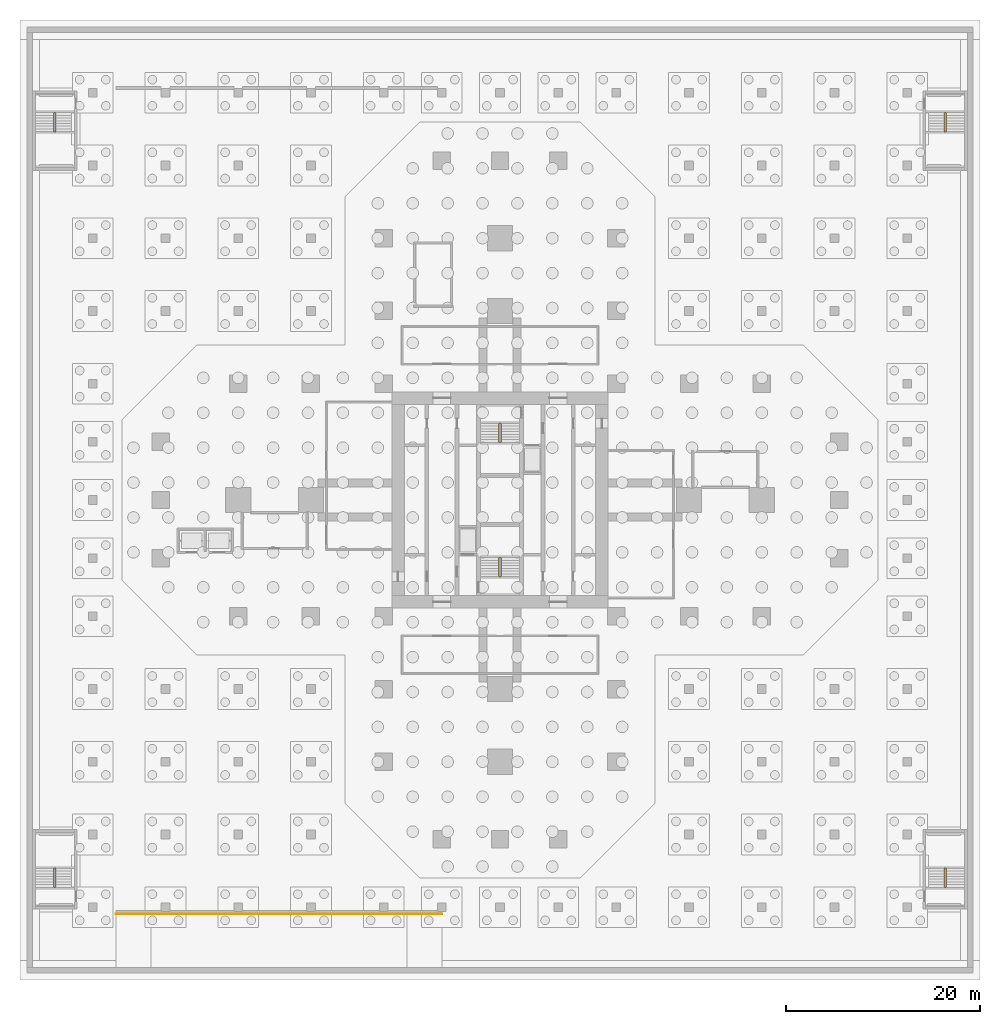
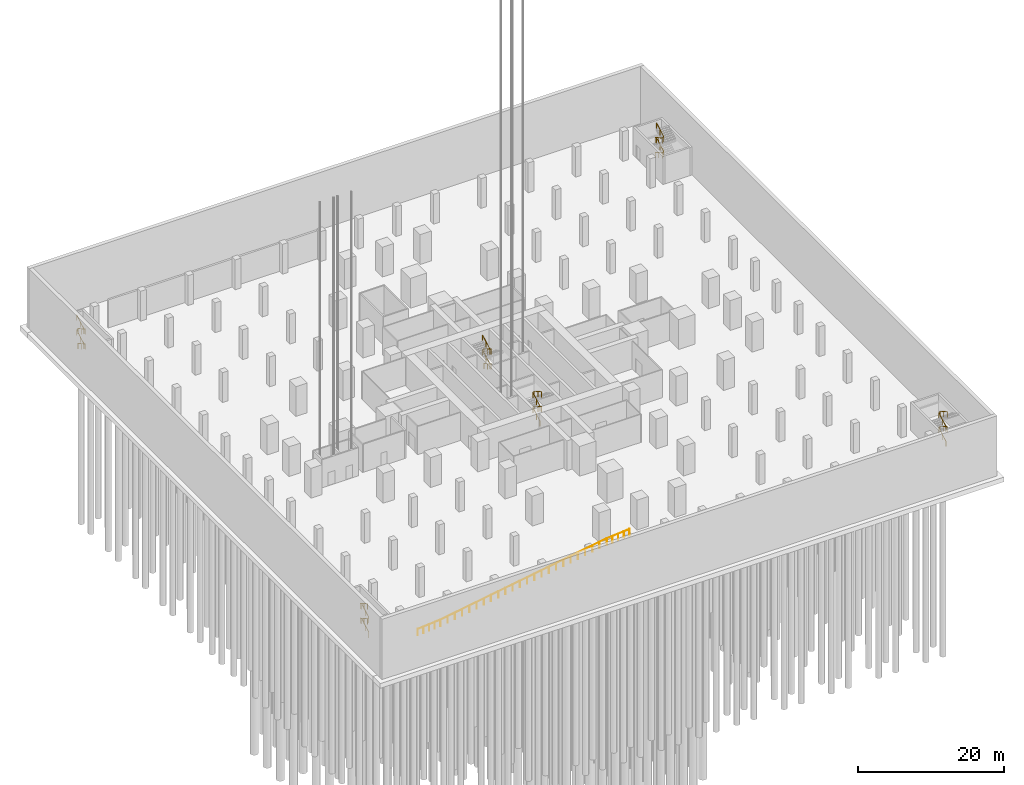
# One storey, part 22 of 31: 9 railings.
"""IFC4 building model written with IfcOpenShell, lengths in metres."""

from ifc_helpers import new_model, si_unit, direction, frame, origin, origin_2d, place, context, subcontext, project, spatial, circle, extrude, material, type_object, element, save


model = new_model("IFC4")

# Units and contexts
model_context = context("Model", 3, precision=1e-05, world=origin(), true_north=direction((0.0, 1.0)))
body_context = subcontext(model_context, "Body", "Model", "MODEL_VIEW")
ifc_project = project(units=[si_unit("LENGTHUNIT", "METRE"), si_unit("AREAUNIT", "SQUARE_METRE"), si_unit("VOLUMEUNIT", "CUBIC_METRE"), si_unit("PLANEANGLEUNIT", "RADIAN"), si_unit("MASSUNIT", "GRAM", prefix="KILO")], contexts=[model_context])

# Site, building, storey
site_placement = place(None, origin())
site = spatial("IfcSite", under=ifc_project, at=site_placement, CompositionType="ELEMENT")
building_placement = place(site_placement, origin())
building = spatial("IfcBuilding", under=site, at=building_placement, Name="Mizan Broadcast Tower", CompositionType="ELEMENT")
storey_placement = place(building_placement, frame((0.0, 0.0, -10.0)))
storey = spatial("IfcBuildingStorey", under=building, at=storey_placement, Name="B2", CompositionType="ELEMENT", Elevation=-10.0)

# Railings
ifc_material_1 = material(Name="Stainless steel and glass guard", Category="steel")
railing_type_1 = type_object("IfcRailingType", Name="GUARD 1100", PredefinedType="GUARDRAIL", material=ifc_material_1)
railing_1_placement = place(storey_placement, frame((-6.0, -42.699951171875, 5.0)))
element("IfcRailing", 1, at=railing_1_placement, inside=storey, type_object=railing_type_1, Name="Car ramp R2 guard 1", PredefinedType="GUARDRAIL", context=body_context, shape_type="SweptSolid", body=[
    extrude(circle(Radius=0.02392578125, at=origin_2d()), frame((0.0, 0.0, 1.076171875), z_axis=(-0.996544826035, 0.0, -0.083056665618), x_axis=(0.0, -1.0, 0.0)), (0.0, 0.0, 1.0), 3.612548828125),
    extrude(circle(Radius=0.02099609375, at=origin_2d()), origin(), (0.0, 0.0, 1.0), 1.052001953125),
    extrude(circle(Radius=0.02099609375, at=origin_2d()), frame((-0.89990234375, 0.0, -0.074951171875)), (0.0, 0.0, 1.0), 1.052001953125),
    extrude(circle(Radius=0.02099609375, at=origin_2d()), frame((-1.800048828125, 0.0, -0.14990234375)), (0.0, 0.0, 1.0), 1.052001953125),
    extrude(circle(Radius=0.02099609375, at=origin_2d()), frame((-2.7001953125, 0.0, -0.22509765625)), (0.0, 0.0, 1.0), 1.052001953125),
    extrude(circle(Radius=0.02099609375, at=origin_2d()), frame((-3.60009765625, 0.0, -0.300048828125)), (0.0, 0.0, 1.0), 1.052001953125),
])
railing_2_placement = place(storey_placement, frame((-9.60009765625, -42.699951171875, 4.699951171875)))
element("IfcRailing", 2, at=railing_2_placement, inside=storey, type_object=railing_type_1, Name="Car ramp R2 guard 2", PredefinedType="GUARDRAIL", context=body_context, shape_type="SweptSolid", body=[
    extrude(circle(Radius=0.02392578125, at=origin_2d()), frame((0.0, 0.0, 1.076171875), z_axis=(-0.986394416907, 0.0, -0.16439602883), x_axis=(0.0, -1.0, 0.0)), (0.0, 0.0, 1.0), 26.76416015625),
    extrude(circle(Radius=0.02099609375, at=origin_2d()), origin(), (0.0, 0.0, 1.0), 1.052001953125),
    extrude(circle(Radius=0.02099609375, at=origin_2d()), frame((-1.147705078125, 0.0, -0.19140625)), (0.0, 0.0, 1.0), 1.052001953125),
    extrude(circle(Radius=0.02099609375, at=origin_2d()), frame((-2.295654296875, 0.0, -0.382568359375)), (0.0, 0.0, 1.0), 1.052001953125),
    extrude(circle(Radius=0.02099609375, at=origin_2d()), frame((-3.443359375, 0.0, -0.573974609375)), (0.0, 0.0, 1.0), 1.052001953125),
    extrude(circle(Radius=0.02099609375, at=origin_2d()), frame((-4.59130859375, 0.0, -0.76513671875)), (0.0, 0.0, 1.0), 1.052001953125),
    extrude(circle(Radius=0.02099609375, at=origin_2d()), frame((-5.739013671875, 0.0, -0.95654296875)), (0.0, 0.0, 1.0), 1.052001953125),
    extrude(circle(Radius=0.02099609375, at=origin_2d()), frame((-6.886962890625, 0.0, -1.147705078125)), (0.0, 0.0, 1.0), 1.052001953125),
    extrude(circle(Radius=0.02099609375, at=origin_2d()), frame((-8.03466796875, 0.0, -1.339111328125)), (0.0, 0.0, 1.0), 1.052001953125),
    extrude(circle(Radius=0.02099609375, at=origin_2d()), frame((-9.1826171875, 0.0, -1.530517578125)), (0.0, 0.0, 1.0), 1.052001953125),
    extrude(circle(Radius=0.02099609375, at=origin_2d()), frame((-10.330322265625, 0.0, -1.7216796875)), (0.0, 0.0, 1.0), 1.052001953125),
    extrude(circle(Radius=0.02099609375, at=origin_2d()), frame((-11.478271484375, 0.0, -1.9130859375)), (0.0, 0.0, 1.0), 1.052001953125),
    extrude(circle(Radius=0.02099609375, at=origin_2d()), frame((-12.6259765625, 0.0, -2.104248046875)), (0.0, 0.0, 1.0), 1.052001953125),
    extrude(circle(Radius=0.02099609375, at=origin_2d()), frame((-13.77392578125, 0.0, -2.295654296875)), (0.0, 0.0, 1.0), 1.052001953125),
    extrude(circle(Radius=0.02099609375, at=origin_2d()), frame((-14.921630859375, 0.0, -2.48681640625)), (0.0, 0.0, 1.0), 1.052001953125),
    extrude(circle(Radius=0.02099609375, at=origin_2d()), frame((-16.069580078125, 0.0, -2.67822265625)), (0.0, 0.0, 1.0), 1.052001953125),
    extrude(circle(Radius=0.02099609375, at=origin_2d()), frame((-17.21728515625, 0.0, -2.869384765625)), (0.0, 0.0, 1.0), 1.052001953125),
    extrude(circle(Radius=0.02099609375, at=origin_2d()), frame((-18.365234375, 0.0, -3.060791015625)), (0.0, 0.0, 1.0), 1.052001953125),
    extrude(circle(Radius=0.02099609375, at=origin_2d()), frame((-19.512939453125, 0.0, -3.252197265625)), (0.0, 0.0, 1.0), 1.052001953125),
    extrude(circle(Radius=0.02099609375, at=origin_2d()), frame((-20.660888671875, 0.0, -3.443359375)), (0.0, 0.0, 1.0), 1.052001953125),
    extrude(circle(Radius=0.02099609375, at=origin_2d()), frame((-21.80859375, 0.0, -3.634765625)), (0.0, 0.0, 1.0), 1.052001953125),
    extrude(circle(Radius=0.02099609375, at=origin_2d()), frame((-22.95654296875, 0.0, -3.825927734375)), (0.0, 0.0, 1.0), 1.052001953125),
    extrude(circle(Radius=0.02099609375, at=origin_2d()), frame((-24.104248046875, 0.0, -4.017333984375)), (0.0, 0.0, 1.0), 1.052001953125),
    extrude(circle(Radius=0.02099609375, at=origin_2d()), frame((-25.252197265625, 0.0, -4.20849609375)), (0.0, 0.0, 1.0), 1.052001953125),
    extrude(circle(Radius=0.02099609375, at=origin_2d()), frame((-26.39990234375, 0.0, -4.39990234375)), (0.0, 0.0, 1.0), 1.052001953125),
])
railing_3_placement = place(storey_placement, frame((-36.0, -42.699951171875, 0.300048828125)))
element("IfcRailing", 3, at=railing_3_placement, inside=storey, type_object=railing_type_1, Name="Car ramp R2 guard 3", PredefinedType="GUARDRAIL", context=body_context, shape_type="SweptSolid", body=[
    extrude(circle(Radius=0.02392578125, at=origin_2d()), frame((0.0, 0.0, 1.076171875), z_axis=(-0.996544826035, 0.0, -0.083056665618), x_axis=(0.0, -1.0, 0.0)), (0.0, 0.0, 1.0), 3.612548828125),
    extrude(circle(Radius=0.02099609375, at=origin_2d()), origin(), (0.0, 0.0, 1.0), 1.052001953125),
    extrude(circle(Radius=0.02099609375, at=origin_2d()), frame((-0.89990234375, 0.0, -0.074951171875)), (0.0, 0.0, 1.0), 1.052001953125),
    extrude(circle(Radius=0.02099609375, at=origin_2d()), frame((-1.800048828125, 0.0, -0.14990234375)), (0.0, 0.0, 1.0), 1.052001953125),
    extrude(circle(Radius=0.02099609375, at=origin_2d()), frame((-2.7001953125, 0.0, -0.22509765625)), (0.0, 0.0, 1.0), 1.052001953125),
    extrude(circle(Radius=0.02099609375, at=origin_2d()), frame((-3.60009765625, 0.0, -0.300048828125)), (0.0, 0.0, 1.0), 1.052001953125),
])
ifc_material_2 = material(Name="Stainless steel", Category="steel")
railing_type_2 = type_object("IfcRailingType", Name="HANDRAIL 50", PredefinedType="HANDRAIL", material=ifc_material_2)
railing_4_placement = place(storey_placement, frame((-0.110107421875, -7.89990234375, 0.15625)))
element("IfcRailing", 4, at=railing_4_placement, inside=storey, type_object=railing_type_2, Name="Stair A handrail", PredefinedType="HANDRAIL", context=body_context, shape_type="SweptSolid", body=[
    extrude(circle(Radius=0.02392578125, at=origin_2d()), frame((0.0, 0.0, 0.8759765625), z_axis=(0.0, 0.873232148454, 0.487304437602), x_axis=(-1.0, 0.0, 0.0)), (0.0, 0.0, 1.0), 2.244384765625),
    extrude(circle(Radius=0.02392578125, at=origin_2d()), frame((0.0, 1.9599609375, 1.9697265625), z_axis=(0.815562204743, 0.0, 0.578669413565), x_axis=(0.0, 1.0, 0.0)), (0.0, 0.0, 1.0), 0.27001953125),
    extrude(circle(Radius=0.02392578125, at=origin_2d()), frame((0.22021484375, 1.9599609375, 2.1259765625), z_axis=(0.0, -0.873232148454, 0.487304437602), x_axis=(1.0, 0.0, 0.0)), (0.0, 0.0, 1.0), 2.244384765625),
    extrude(circle(Radius=0.02392578125, at=origin_2d()), frame((0.22021484375, 0.0, 3.2197265625), z_axis=(-0.815562204743, 0.0, 0.578669413565), x_axis=(0.0, -1.0, 0.0)), (0.0, 0.0, 1.0), 0.27001953125),
    extrude(circle(Radius=0.02392578125, at=origin_2d()), frame((0.0, 0.0, 3.3759765625), z_axis=(0.0, 0.873232148454, 0.487304437602), x_axis=(-1.0, 0.0, 0.0)), (0.0, 0.0, 1.0), 2.244384765625),
    extrude(circle(Radius=0.02392578125, at=origin_2d()), frame((0.0, 1.9599609375, 4.4697265625), z_axis=(0.815562204743, 0.0, 0.578669413565), x_axis=(0.0, 1.0, 0.0)), (0.0, 0.0, 1.0), 0.27001953125),
    extrude(circle(Radius=0.02392578125, at=origin_2d()), frame((0.22021484375, 1.9599609375, 4.6259765625), z_axis=(0.0, -0.873232148454, 0.487304437602), x_axis=(1.0, 0.0, 0.0)), (0.0, 0.0, 1.0), 2.244384765625),
    extrude(circle(Radius=0.02099609375, at=origin_2d()), origin(), (0.0, 0.0, 1.0), 0.851806640625),
    extrude(circle(Radius=0.02099609375, at=origin_2d()), frame((0.0, 0.97998046875, 0.546875)), (0.0, 0.0, 1.0), 0.851806640625),
    extrude(circle(Radius=0.02099609375, at=origin_2d()), frame((0.0, 1.9599609375, 1.09375)), (0.0, 0.0, 1.0), 0.851806640625),
    extrude(circle(Radius=0.02099609375, at=origin_2d()), frame((0.22021484375, 1.9599609375, 1.25)), (0.0, 0.0, 1.0), 0.851806640625),
    extrude(circle(Radius=0.02099609375, at=origin_2d()), frame((0.22021484375, 0.97998046875, 1.796875)), (0.0, 0.0, 1.0), 0.851806640625),
    extrude(circle(Radius=0.02099609375, at=origin_2d()), frame((0.22021484375, 0.0, 2.34375)), (0.0, 0.0, 1.0), 0.851806640625),
    extrude(circle(Radius=0.02099609375, at=origin_2d()), frame((0.0, 0.0, 2.5)), (0.0, 0.0, 1.0), 0.851806640625),
    extrude(circle(Radius=0.02099609375, at=origin_2d()), frame((0.0, 0.97998046875, 3.046875)), (0.0, 0.0, 1.0), 0.851806640625),
    extrude(circle(Radius=0.02099609375, at=origin_2d()), frame((0.0, 1.9599609375, 3.59375)), (0.0, 0.0, 1.0), 0.851806640625),
    extrude(circle(Radius=0.02099609375, at=origin_2d()), frame((0.22021484375, 1.9599609375, 3.75)), (0.0, 0.0, 1.0), 0.851806640625),
    extrude(circle(Radius=0.02099609375, at=origin_2d()), frame((0.22021484375, 0.97998046875, 4.296875)), (0.0, 0.0, 1.0), 0.851806640625),
    extrude(circle(Radius=0.02099609375, at=origin_2d()), frame((0.22021484375, 0.0, 4.84375)), (0.0, 0.0, 1.0), 0.851806640625),
])
railing_5_placement = place(storey_placement, frame((0.110107421875, 7.89990234375, 0.15625)))
element("IfcRailing", 5, at=railing_5_placement, inside=storey, type_object=railing_type_2, Name="Stair B handrail", PredefinedType="HANDRAIL", context=body_context, shape_type="SweptSolid", body=[
    extrude(circle(Radius=0.02392578125, at=origin_2d()), frame((0.0, 0.0, 0.8759765625), z_axis=(0.0, -0.873232148454, 0.487304437602), x_axis=(1.0, 0.0, 0.0)), (0.0, 0.0, 1.0), 2.244384765625),
    extrude(circle(Radius=0.02392578125, at=origin_2d()), frame((0.0, -1.9599609375, 1.9697265625), z_axis=(-0.815562204743, 0.0, 0.578669413565), x_axis=(0.0, -1.0, 0.0)), (0.0, 0.0, 1.0), 0.27001953125),
    extrude(circle(Radius=0.02392578125, at=origin_2d()), frame((-0.22021484375, -1.9599609375, 2.1259765625), z_axis=(0.0, 0.873232148454, 0.487304437602), x_axis=(-1.0, 0.0, 0.0)), (0.0, 0.0, 1.0), 2.244384765625),
    extrude(circle(Radius=0.02392578125, at=origin_2d()), frame((-0.22021484375, 0.0, 3.2197265625), z_axis=(0.815562204743, 0.0, 0.578669413565), x_axis=(0.0, 1.0, 0.0)), (0.0, 0.0, 1.0), 0.27001953125),
    extrude(circle(Radius=0.02392578125, at=origin_2d()), frame((0.0, 0.0, 3.3759765625), z_axis=(0.0, -0.873232148454, 0.487304437602), x_axis=(1.0, 0.0, 0.0)), (0.0, 0.0, 1.0), 2.244384765625),
    extrude(circle(Radius=0.02392578125, at=origin_2d()), frame((0.0, -1.9599609375, 4.4697265625), z_axis=(-0.815562204743, 0.0, 0.578669413565), x_axis=(0.0, -1.0, 0.0)), (0.0, 0.0, 1.0), 0.27001953125),
    extrude(circle(Radius=0.02392578125, at=origin_2d()), frame((-0.22021484375, -1.9599609375, 4.6259765625), z_axis=(0.0, 0.873232148454, 0.487304437602), x_axis=(-1.0, 0.0, 0.0)), (0.0, 0.0, 1.0), 2.244384765625),
    extrude(circle(Radius=0.02099609375, at=origin_2d()), origin(), (0.0, 0.0, 1.0), 0.851806640625),
    extrude(circle(Radius=0.02099609375, at=origin_2d()), frame((0.0, -0.97998046875, 0.546875)), (0.0, 0.0, 1.0), 0.851806640625),
    extrude(circle(Radius=0.02099609375, at=origin_2d()), frame((0.0, -1.9599609375, 1.09375)), (0.0, 0.0, 1.0), 0.851806640625),
    extrude(circle(Radius=0.02099609375, at=origin_2d()), frame((-0.22021484375, -1.9599609375, 1.25)), (0.0, 0.0, 1.0), 0.851806640625),
    extrude(circle(Radius=0.02099609375, at=origin_2d()), frame((-0.22021484375, -0.97998046875, 1.796875)), (0.0, 0.0, 1.0), 0.851806640625),
    extrude(circle(Radius=0.02099609375, at=origin_2d()), frame((-0.22021484375, 0.0, 2.34375)), (0.0, 0.0, 1.0), 0.851806640625),
    extrude(circle(Radius=0.02099609375, at=origin_2d()), frame((0.0, 0.0, 2.5)), (0.0, 0.0, 1.0), 0.851806640625),
    extrude(circle(Radius=0.02099609375, at=origin_2d()), frame((0.0, -0.97998046875, 3.046875)), (0.0, 0.0, 1.0), 0.851806640625),
    extrude(circle(Radius=0.02099609375, at=origin_2d()), frame((0.0, -1.9599609375, 3.59375)), (0.0, 0.0, 1.0), 0.851806640625),
    extrude(circle(Radius=0.02099609375, at=origin_2d()), frame((-0.22021484375, -1.9599609375, 3.75)), (0.0, 0.0, 1.0), 0.851806640625),
    extrude(circle(Radius=0.02099609375, at=origin_2d()), frame((-0.22021484375, -0.97998046875, 4.296875)), (0.0, 0.0, 1.0), 0.851806640625),
    extrude(circle(Radius=0.02099609375, at=origin_2d()), frame((-0.22021484375, 0.0, 4.84375)), (0.0, 0.0, 1.0), 0.851806640625),
])
railing_6_placement = place(storey_placement, frame((45.7900390625, 39.949951171875, 0.15625)))
element("IfcRailing", 6, at=railing_6_placement, inside=storey, type_object=railing_type_2, Name="Stair E handrail", PredefinedType="HANDRAIL", context=body_context, shape_type="SweptSolid", body=[
    extrude(circle(Radius=0.02392578125, at=origin_2d()), frame((0.0, 0.0, 0.8759765625), z_axis=(0.0, -0.873232148454, 0.487304437602), x_axis=(1.0, 0.0, 0.0)), (0.0, 0.0, 1.0), 2.244384765625),
    extrude(circle(Radius=0.02392578125, at=origin_2d()), frame((0.0, -1.9599609375, 1.9697265625), z_axis=(0.815259100417, 0.0, 0.579096364336), x_axis=(0.0, 1.0, 0.0)), (0.0, 0.0, 1.0), 0.269775390625),
    extrude(circle(Radius=0.02392578125, at=origin_2d()), frame((0.219970703125, -1.9599609375, 2.1259765625), z_axis=(0.0, 0.873232148454, 0.487304437602), x_axis=(-1.0, 0.0, 0.0)), (0.0, 0.0, 1.0), 2.244384765625),
    extrude(circle(Radius=0.02392578125, at=origin_2d()), frame((0.219970703125, 0.0, 3.2197265625), z_axis=(-0.815259100417, 0.0, 0.579096364336), x_axis=(0.0, -1.0, 0.0)), (0.0, 0.0, 1.0), 0.269775390625),
    extrude(circle(Radius=0.02392578125, at=origin_2d()), frame((0.0, 0.0, 3.3759765625), z_axis=(0.0, -0.873232148454, 0.487304437602), x_axis=(1.0, 0.0, 0.0)), (0.0, 0.0, 1.0), 2.244384765625),
    extrude(circle(Radius=0.02392578125, at=origin_2d()), frame((0.0, -1.9599609375, 4.4697265625), z_axis=(0.815259100417, 0.0, 0.579096364336), x_axis=(0.0, 1.0, 0.0)), (0.0, 0.0, 1.0), 0.269775390625),
    extrude(circle(Radius=0.02392578125, at=origin_2d()), frame((0.219970703125, -1.9599609375, 4.6259765625), z_axis=(0.0, 0.873232148454, 0.487304437602), x_axis=(-1.0, 0.0, 0.0)), (0.0, 0.0, 1.0), 2.244384765625),
    extrude(circle(Radius=0.02099609375, at=origin_2d()), origin(), (0.0, 0.0, 1.0), 0.851806640625),
    extrude(circle(Radius=0.02099609375, at=origin_2d()), frame((0.0, -0.97998046875, 0.546875)), (0.0, 0.0, 1.0), 0.851806640625),
    extrude(circle(Radius=0.02099609375, at=origin_2d()), frame((0.0, -1.9599609375, 1.09375)), (0.0, 0.0, 1.0), 0.851806640625),
    extrude(circle(Radius=0.02099609375, at=origin_2d()), frame((0.219970703125, -1.9599609375, 1.25)), (0.0, 0.0, 1.0), 0.851806640625),
    extrude(circle(Radius=0.02099609375, at=origin_2d()), frame((0.219970703125, -0.97998046875, 1.796875)), (0.0, 0.0, 1.0), 0.851806640625),
    extrude(circle(Radius=0.02099609375, at=origin_2d()), frame((0.219970703125, 0.0, 2.34375)), (0.0, 0.0, 1.0), 0.851806640625),
    extrude(circle(Radius=0.02099609375, at=origin_2d()), frame((0.0, 0.0, 2.5)), (0.0, 0.0, 1.0), 0.851806640625),
    extrude(circle(Radius=0.02099609375, at=origin_2d()), frame((0.0, -0.97998046875, 3.046875)), (0.0, 0.0, 1.0), 0.851806640625),
    extrude(circle(Radius=0.02099609375, at=origin_2d()), frame((0.0, -1.9599609375, 3.59375)), (0.0, 0.0, 1.0), 0.851806640625),
    extrude(circle(Radius=0.02099609375, at=origin_2d()), frame((0.219970703125, -1.9599609375, 3.75)), (0.0, 0.0, 1.0), 0.851806640625),
    extrude(circle(Radius=0.02099609375, at=origin_2d()), frame((0.219970703125, -0.97998046875, 4.296875)), (0.0, 0.0, 1.0), 0.851806640625),
    extrude(circle(Radius=0.02099609375, at=origin_2d()), frame((0.219970703125, 0.0, 4.84375)), (0.0, 0.0, 1.0), 0.851806640625),
])
railing_7_placement = place(storey_placement, frame((-45.7900390625, 39.949951171875, 0.15625)))
element("IfcRailing", 7, at=railing_7_placement, inside=storey, type_object=railing_type_2, Name="Stair F handrail", PredefinedType="HANDRAIL", context=body_context, shape_type="SweptSolid", body=[
    extrude(circle(Radius=0.02392578125, at=origin_2d()), frame((0.0, 0.0, 0.8759765625), z_axis=(0.0, -0.873232148454, 0.487304437602), x_axis=(1.0, 0.0, 0.0)), (0.0, 0.0, 1.0), 2.244384765625),
    extrude(circle(Radius=0.02392578125, at=origin_2d()), frame((0.0, -1.9599609375, 1.9697265625), z_axis=(-0.815259100417, 0.0, 0.579096364336), x_axis=(0.0, -1.0, 0.0)), (0.0, 0.0, 1.0), 0.269775390625),
    extrude(circle(Radius=0.02392578125, at=origin_2d()), frame((-0.219970703125, -1.9599609375, 2.1259765625), z_axis=(0.0, 0.873232148454, 0.487304437602), x_axis=(-1.0, 0.0, 0.0)), (0.0, 0.0, 1.0), 2.244384765625),
    extrude(circle(Radius=0.02392578125, at=origin_2d()), frame((-0.219970703125, 0.0, 3.2197265625), z_axis=(0.815259100417, 0.0, 0.579096364336), x_axis=(0.0, 1.0, 0.0)), (0.0, 0.0, 1.0), 0.269775390625),
    extrude(circle(Radius=0.02392578125, at=origin_2d()), frame((0.0, 0.0, 3.3759765625), z_axis=(0.0, -0.873232148454, 0.487304437602), x_axis=(1.0, 0.0, 0.0)), (0.0, 0.0, 1.0), 2.244384765625),
    extrude(circle(Radius=0.02392578125, at=origin_2d()), frame((0.0, -1.9599609375, 4.4697265625), z_axis=(-0.815259100417, 0.0, 0.579096364336), x_axis=(0.0, -1.0, 0.0)), (0.0, 0.0, 1.0), 0.269775390625),
    extrude(circle(Radius=0.02392578125, at=origin_2d()), frame((-0.219970703125, -1.9599609375, 4.6259765625), z_axis=(0.0, 0.873232148454, 0.487304437602), x_axis=(-1.0, 0.0, 0.0)), (0.0, 0.0, 1.0), 2.244384765625),
    extrude(circle(Radius=0.02099609375, at=origin_2d()), origin(), (0.0, 0.0, 1.0), 0.851806640625),
    extrude(circle(Radius=0.02099609375, at=origin_2d()), frame((0.0, -0.97998046875, 0.546875)), (0.0, 0.0, 1.0), 0.851806640625),
    extrude(circle(Radius=0.02099609375, at=origin_2d()), frame((0.0, -1.9599609375, 1.09375)), (0.0, 0.0, 1.0), 0.851806640625),
    extrude(circle(Radius=0.02099609375, at=origin_2d()), frame((-0.219970703125, -1.9599609375, 1.25)), (0.0, 0.0, 1.0), 0.851806640625),
    extrude(circle(Radius=0.02099609375, at=origin_2d()), frame((-0.219970703125, -0.97998046875, 1.796875)), (0.0, 0.0, 1.0), 0.851806640625),
    extrude(circle(Radius=0.02099609375, at=origin_2d()), frame((-0.219970703125, 0.0, 2.34375)), (0.0, 0.0, 1.0), 0.851806640625),
    extrude(circle(Radius=0.02099609375, at=origin_2d()), frame((0.0, 0.0, 2.5)), (0.0, 0.0, 1.0), 0.851806640625),
    extrude(circle(Radius=0.02099609375, at=origin_2d()), frame((0.0, -0.97998046875, 3.046875)), (0.0, 0.0, 1.0), 0.851806640625),
    extrude(circle(Radius=0.02099609375, at=origin_2d()), frame((0.0, -1.9599609375, 3.59375)), (0.0, 0.0, 1.0), 0.851806640625),
    extrude(circle(Radius=0.02099609375, at=origin_2d()), frame((-0.219970703125, -1.9599609375, 3.75)), (0.0, 0.0, 1.0), 0.851806640625),
    extrude(circle(Radius=0.02099609375, at=origin_2d()), frame((-0.219970703125, -0.97998046875, 4.296875)), (0.0, 0.0, 1.0), 0.851806640625),
    extrude(circle(Radius=0.02099609375, at=origin_2d()), frame((-0.219970703125, 0.0, 4.84375)), (0.0, 0.0, 1.0), 0.851806640625),
])
railing_8_placement = place(storey_placement, frame((-45.7900390625, -39.949951171875, 0.15625)))
element("IfcRailing", 8, at=railing_8_placement, inside=storey, type_object=railing_type_2, Name="Stair G handrail", PredefinedType="HANDRAIL", context=body_context, shape_type="SweptSolid", body=[
    extrude(circle(Radius=0.02392578125, at=origin_2d()), frame((0.0, 0.0, 0.8759765625), z_axis=(0.0, 0.873232148454, 0.487304437602), x_axis=(-1.0, 0.0, 0.0)), (0.0, 0.0, 1.0), 2.244384765625),
    extrude(circle(Radius=0.02392578125, at=origin_2d()), frame((0.0, 1.9599609375, 1.9697265625), z_axis=(-0.815259100417, 0.0, 0.579096364336), x_axis=(0.0, -1.0, 0.0)), (0.0, 0.0, 1.0), 0.269775390625),
    extrude(circle(Radius=0.02392578125, at=origin_2d()), frame((-0.219970703125, 1.9599609375, 2.1259765625), z_axis=(0.0, -0.873232148454, 0.487304437602), x_axis=(1.0, 0.0, 0.0)), (0.0, 0.0, 1.0), 2.244384765625),
    extrude(circle(Radius=0.02392578125, at=origin_2d()), frame((-0.219970703125, 0.0, 3.2197265625), z_axis=(0.815259100417, 0.0, 0.579096364336), x_axis=(0.0, 1.0, 0.0)), (0.0, 0.0, 1.0), 0.269775390625),
    extrude(circle(Radius=0.02392578125, at=origin_2d()), frame((0.0, 0.0, 3.3759765625), z_axis=(0.0, 0.873232148454, 0.487304437602), x_axis=(-1.0, 0.0, 0.0)), (0.0, 0.0, 1.0), 2.244384765625),
    extrude(circle(Radius=0.02392578125, at=origin_2d()), frame((0.0, 1.9599609375, 4.4697265625), z_axis=(-0.815259100417, 0.0, 0.579096364336), x_axis=(0.0, -1.0, 0.0)), (0.0, 0.0, 1.0), 0.269775390625),
    extrude(circle(Radius=0.02392578125, at=origin_2d()), frame((-0.219970703125, 1.9599609375, 4.6259765625), z_axis=(0.0, -0.873232148454, 0.487304437602), x_axis=(1.0, 0.0, 0.0)), (0.0, 0.0, 1.0), 2.244384765625),
    extrude(circle(Radius=0.02099609375, at=origin_2d()), origin(), (0.0, 0.0, 1.0), 0.851806640625),
    extrude(circle(Radius=0.02099609375, at=origin_2d()), frame((0.0, 0.97998046875, 0.546875)), (0.0, 0.0, 1.0), 0.851806640625),
    extrude(circle(Radius=0.02099609375, at=origin_2d()), frame((0.0, 1.9599609375, 1.09375)), (0.0, 0.0, 1.0), 0.851806640625),
    extrude(circle(Radius=0.02099609375, at=origin_2d()), frame((-0.219970703125, 1.9599609375, 1.25)), (0.0, 0.0, 1.0), 0.851806640625),
    extrude(circle(Radius=0.02099609375, at=origin_2d()), frame((-0.219970703125, 0.97998046875, 1.796875)), (0.0, 0.0, 1.0), 0.851806640625),
    extrude(circle(Radius=0.02099609375, at=origin_2d()), frame((-0.219970703125, 0.0, 2.34375)), (0.0, 0.0, 1.0), 0.851806640625),
    extrude(circle(Radius=0.02099609375, at=origin_2d()), frame((0.0, 0.0, 2.5)), (0.0, 0.0, 1.0), 0.851806640625),
    extrude(circle(Radius=0.02099609375, at=origin_2d()), frame((0.0, 0.97998046875, 3.046875)), (0.0, 0.0, 1.0), 0.851806640625),
    extrude(circle(Radius=0.02099609375, at=origin_2d()), frame((0.0, 1.9599609375, 3.59375)), (0.0, 0.0, 1.0), 0.851806640625),
    extrude(circle(Radius=0.02099609375, at=origin_2d()), frame((-0.219970703125, 1.9599609375, 3.75)), (0.0, 0.0, 1.0), 0.851806640625),
    extrude(circle(Radius=0.02099609375, at=origin_2d()), frame((-0.219970703125, 0.97998046875, 4.296875)), (0.0, 0.0, 1.0), 0.851806640625),
    extrude(circle(Radius=0.02099609375, at=origin_2d()), frame((-0.219970703125, 0.0, 4.84375)), (0.0, 0.0, 1.0), 0.851806640625),
])
railing_9_placement = place(storey_placement, frame((45.7900390625, -39.949951171875, 0.15625)))
element("IfcRailing", 9, at=railing_9_placement, inside=storey, type_object=railing_type_2, Name="Stair H handrail", PredefinedType="HANDRAIL", context=body_context, shape_type="SweptSolid", body=[
    extrude(circle(Radius=0.02392578125, at=origin_2d()), frame((0.0, 0.0, 0.8759765625), z_axis=(0.0, 0.873232148454, 0.487304437602), x_axis=(-1.0, 0.0, 0.0)), (0.0, 0.0, 1.0), 2.244384765625),
    extrude(circle(Radius=0.02392578125, at=origin_2d()), frame((0.0, 1.9599609375, 1.9697265625), z_axis=(0.815259100417, 0.0, 0.579096364336), x_axis=(0.0, 1.0, 0.0)), (0.0, 0.0, 1.0), 0.269775390625),
    extrude(circle(Radius=0.02392578125, at=origin_2d()), frame((0.219970703125, 1.9599609375, 2.1259765625), z_axis=(0.0, -0.873232148454, 0.487304437602), x_axis=(1.0, 0.0, 0.0)), (0.0, 0.0, 1.0), 2.244384765625),
    extrude(circle(Radius=0.02392578125, at=origin_2d()), frame((0.219970703125, 0.0, 3.2197265625), z_axis=(-0.815259100417, 0.0, 0.579096364336), x_axis=(0.0, -1.0, 0.0)), (0.0, 0.0, 1.0), 0.269775390625),
    extrude(circle(Radius=0.02392578125, at=origin_2d()), frame((0.0, 0.0, 3.3759765625), z_axis=(0.0, 0.873232148454, 0.487304437602), x_axis=(-1.0, 0.0, 0.0)), (0.0, 0.0, 1.0), 2.244384765625),
    extrude(circle(Radius=0.02392578125, at=origin_2d()), frame((0.0, 1.9599609375, 4.4697265625), z_axis=(0.815259100417, 0.0, 0.579096364336), x_axis=(0.0, 1.0, 0.0)), (0.0, 0.0, 1.0), 0.269775390625),
    extrude(circle(Radius=0.02392578125, at=origin_2d()), frame((0.219970703125, 1.9599609375, 4.6259765625), z_axis=(0.0, -0.873232148454, 0.487304437602), x_axis=(1.0, 0.0, 0.0)), (0.0, 0.0, 1.0), 2.244384765625),
    extrude(circle(Radius=0.02099609375, at=origin_2d()), origin(), (0.0, 0.0, 1.0), 0.851806640625),
    extrude(circle(Radius=0.02099609375, at=origin_2d()), frame((0.0, 0.97998046875, 0.546875)), (0.0, 0.0, 1.0), 0.851806640625),
    extrude(circle(Radius=0.02099609375, at=origin_2d()), frame((0.0, 1.9599609375, 1.09375)), (0.0, 0.0, 1.0), 0.851806640625),
    extrude(circle(Radius=0.02099609375, at=origin_2d()), frame((0.219970703125, 1.9599609375, 1.25)), (0.0, 0.0, 1.0), 0.851806640625),
    extrude(circle(Radius=0.02099609375, at=origin_2d()), frame((0.219970703125, 0.97998046875, 1.796875)), (0.0, 0.0, 1.0), 0.851806640625),
    extrude(circle(Radius=0.02099609375, at=origin_2d()), frame((0.219970703125, 0.0, 2.34375)), (0.0, 0.0, 1.0), 0.851806640625),
    extrude(circle(Radius=0.02099609375, at=origin_2d()), frame((0.0, 0.0, 2.5)), (0.0, 0.0, 1.0), 0.851806640625),
    extrude(circle(Radius=0.02099609375, at=origin_2d()), frame((0.0, 0.97998046875, 3.046875)), (0.0, 0.0, 1.0), 0.851806640625),
    extrude(circle(Radius=0.02099609375, at=origin_2d()), frame((0.0, 1.9599609375, 3.59375)), (0.0, 0.0, 1.0), 0.851806640625),
    extrude(circle(Radius=0.02099609375, at=origin_2d()), frame((0.219970703125, 1.9599609375, 3.75)), (0.0, 0.0, 1.0), 0.851806640625),
    extrude(circle(Radius=0.02099609375, at=origin_2d()), frame((0.219970703125, 0.97998046875, 4.296875)), (0.0, 0.0, 1.0), 0.851806640625),
    extrude(circle(Radius=0.02099609375, at=origin_2d()), frame((0.219970703125, 0.0, 4.84375)), (0.0, 0.0, 1.0), 0.851806640625),
])

save(model, "model.ifc")
